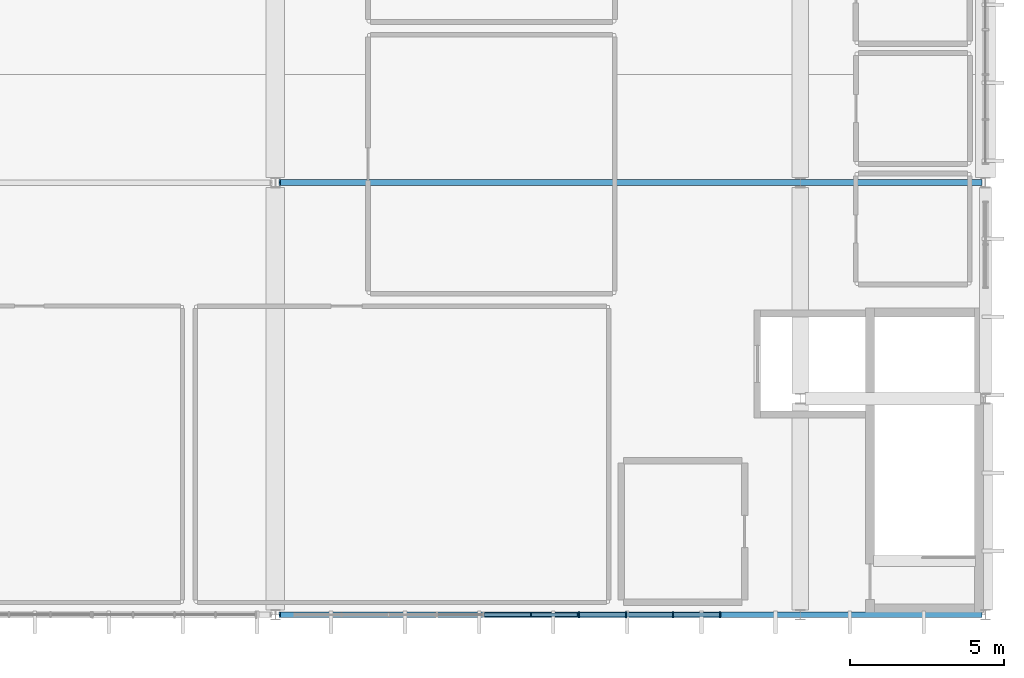
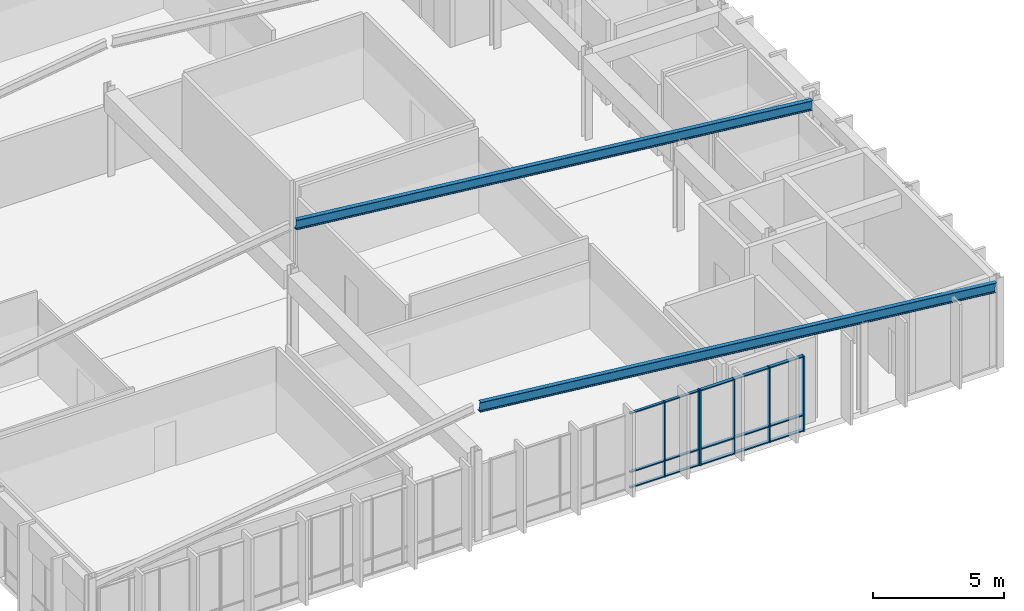
# One storey, part 6 of 16: 21 members, 2 beams, 2 elements without a shape of their own.
"""IFC4 building model written with IfcOpenShell, lengths in metres."""

from ifc_helpers import new_model, si_unit, direction, frame, origin, origin_2d, place, context, subcontext, project, spatial, rectangle, i_section, extrude, material, material_profile, profile_set, type_object, element, aggregate, save


model = new_model("IFC4")

# Units and contexts
model_context = context("Model", 3, precision=1e-05, world=origin(), true_north=direction((0.0, 1.0)))
body_context = subcontext(model_context, "Body", "Model", "MODEL_VIEW")
ifc_project = project(units=[si_unit("LENGTHUNIT", "METRE"), si_unit("AREAUNIT", "SQUARE_METRE"), si_unit("VOLUMEUNIT", "CUBIC_METRE"), si_unit("PLANEANGLEUNIT", "RADIAN"), si_unit("MASSUNIT", "GRAM", prefix="KILO")], contexts=[model_context])

# Site, building, storey
site_placement = place(None, origin())
site = spatial("IfcSite", under=ifc_project, at=site_placement, CompositionType="ELEMENT")
building_placement = place(site_placement, origin())
building = spatial("IfcBuilding", under=site, at=building_placement, Name="Larkveld Mobility Hub", CompositionType="ELEMENT")
storey_placement = place(building_placement, frame((0.0, 0.0, 22.800048828125)))
storey = spatial("IfcBuildingStorey", under=building, at=storey_placement, Name="L06", CompositionType="ELEMENT", Elevation=22.800048828125)

# Beams
ifc_material_1 = material(Name="Steel S355JR", Category="steel")
ifc_material_profile_1 = material_profile(ifc_material_1, i_section(OverallWidth=0.18994140625, OverallDepth=0.449951171875, WebThickness=0.009521484375, FlangeThickness=0.0146484375, FilletRadius=0.02099609375, at=origin_2d()), Name="IPE 450")
ifc_profile_set_1 = profile_set([ifc_material_profile_1], Name="Steel S355JR")
beam_type = type_object("IfcBeamType", Name="BM-STIPE450", PredefinedType="BEAM", material=ifc_profile_set_1)
for number, where, z_axis, x_axis, name in (
    (1, (129.139892578125, 28.0, 6.114990234375), (0.994557622154, 0.0, -0.104187984982), (0.0, 1.0, 0.0), "Sports Pavilion East Rafter L06-1745"),
    (2, (129.139892578125, 42.0, 6.114990234375), (0.994557622154, 0.0, -0.104187984982), (0.0, 1.0, 0.0), "Sports Pavilion East Rafter L06-1747"),
):
    element("IfcBeam", number, at=place(storey_placement, frame(where, z_axis=z_axis, x_axis=x_axis)), inside=storey, type_object=beam_type, Name=name, PredefinedType="BEAM", context=body_context, shape_type="SweptSolid", body=[
        extrude(i_section(OverallWidth=0.18994140625, OverallDepth=0.449951171875, WebThickness=0.009521484375, FlangeThickness=0.0146484375, FilletRadius=0.02099609375, at=origin_2d()), origin(), (0.0, 0.0, 1.0), 22.844482421875),
    ])

# Curtain wall, members
ifc_material_2 = material(Name="Anodised aluminium 6063-T6", Category="aluminium")
curtain_wall_type_1 = type_object("IfcCurtainWallType", Name="CW-SYS-01", PredefinedType="NOTDEFINED", material=ifc_material_2)
curtain_wall_1_placement = place(storey_placement, origin())
curtain_wall_1 = element("IfcCurtainWall", 3, at=curtain_wall_1_placement, inside=storey, type_object=curtain_wall_type_1, Name="Sports Pavilion South Overlook Glazing CW-181", PredefinedType="NOTDEFINED")
ifc_material_profile_2 = material_profile(ifc_material_2, rectangle(XDim=0.050048828125, YDim=0.14990234375, at=origin_2d()), Name="ALU MULL 50x150")
ifc_profile_set_2 = profile_set([ifc_material_profile_2], Name="Anodised aluminium 6063-T6")
member_type_1 = type_object("IfcMemberType", Name="CW-MUL-01", PredefinedType="MULLION", material=ifc_profile_set_2)
member_1_placement = place(storey_placement, frame((137.278076171875, 28.0, -0.001953125), z_axis=(0.0, 0.0, 1.0), x_axis=(1.0, 0.0, 0.0)))
member_1 = element("IfcMember", 4, at=member_1_placement, type_object=member_type_1, Name="CW01 mullion 3", PredefinedType="MULLION", context=body_context, shape_type="SweptSolid", body=[
    extrude(rectangle(XDim=0.050048828125, YDim=0.14990234375, at=origin_2d()), origin(), (0.0, 0.0, 1.0), 3.511962890625),
])
member_2_placement = place(storey_placement, frame((138.7890625, 28.0, -0.001953125), z_axis=(0.0, 0.0, 1.0), x_axis=(1.0, 0.0, 0.0)))
member_2 = element("IfcMember", 5, at=member_2_placement, type_object=member_type_1, Name="CW01 mullion 4", PredefinedType="MULLION", context=body_context, shape_type="SweptSolid", body=[
    extrude(rectangle(XDim=0.050048828125, YDim=0.14990234375, at=origin_2d()), origin(), (0.0, 0.0, 1.0), 3.511962890625),
])

curtain_wall_type_2 = type_object("IfcCurtainWallType", Name="CW-SYS-02", PredefinedType="NOTDEFINED", material=ifc_material_2)
curtain_wall_2_placement = place(storey_placement, origin())
curtain_wall_2 = element("IfcCurtainWall", 6, at=curtain_wall_2_placement, inside=storey, type_object=curtain_wall_type_2, Name="Sports Pavilion South Overlook Glazing CW-182", PredefinedType="NOTDEFINED")
ifc_material_profile_3 = material_profile(ifc_material_2, rectangle(XDim=0.050048828125, YDim=0.179931640625, at=origin_2d()), Name="ALU MULL 50x180")
ifc_profile_set_3 = profile_set([ifc_material_profile_3], Name="Anodised aluminium 6063-T6")
member_type_2 = type_object("IfcMemberType", Name="CW-MUL-02", PredefinedType="MULLION", material=ifc_profile_set_3)
member_3_placement = place(storey_placement, frame((138.837890625, 28.0, -0.001953125), z_axis=(0.0, 0.0, 1.0), x_axis=(1.0, 0.0, 0.0)))
member_3 = element("IfcMember", 7, at=member_3_placement, type_object=member_type_2, Name="CW02 mullion 1", PredefinedType="MULLION", context=body_context, shape_type="SweptSolid", body=[
    extrude(rectangle(XDim=0.050048828125, YDim=0.179931640625, at=origin_2d()), origin(), (0.0, 0.0, 1.0), 3.511962890625),
])
member_4_placement = place(storey_placement, frame((140.34912109375, 28.0, -0.001953125), z_axis=(0.0, 0.0, 1.0), x_axis=(1.0, 0.0, 0.0)))
member_4 = element("IfcMember", 8, at=member_4_placement, type_object=member_type_2, Name="CW02 mullion 2", PredefinedType="MULLION", context=body_context, shape_type="SweptSolid", body=[
    extrude(rectangle(XDim=0.050048828125, YDim=0.179931640625, at=origin_2d()), origin(), (0.0, 0.0, 1.0), 3.511962890625),
])
member_5_placement = place(storey_placement, frame((141.884033203125, 28.0, -0.001953125), z_axis=(0.0, 0.0, 1.0), x_axis=(1.0, 0.0, 0.0)))
member_5 = element("IfcMember", 9, at=member_5_placement, type_object=member_type_2, Name="CW02 mullion 3", PredefinedType="MULLION", context=body_context, shape_type="SweptSolid", body=[
    extrude(rectangle(XDim=0.050048828125, YDim=0.179931640625, at=origin_2d()), origin(), (0.0, 0.0, 1.0), 3.511962890625),
])
member_6_placement = place(storey_placement, frame((143.39501953125, 28.0, -0.001953125), z_axis=(0.0, 0.0, 1.0), x_axis=(1.0, 0.0, 0.0)))
member_6 = element("IfcMember", 10, at=member_6_placement, type_object=member_type_2, Name="CW02 mullion 4", PredefinedType="MULLION", context=body_context, shape_type="SweptSolid", body=[
    extrude(rectangle(XDim=0.050048828125, YDim=0.179931640625, at=origin_2d()), origin(), (0.0, 0.0, 1.0), 3.511962890625),
])

# Member
ifc_material_profile_4 = material_profile(ifc_material_2, rectangle(XDim=0.1201171875, YDim=0.050048828125, at=origin_2d()), Name="ALU TRAN 50x120")
ifc_profile_set_4 = profile_set([ifc_material_profile_4], Name="Anodised aluminium 6063-T6")
member_type_3 = type_object("IfcMemberType", Name="CW-TRN-01", PredefinedType="USERDEFINED", material=ifc_profile_set_4)
member_7_placement = place(storey_placement, frame((135.758056640625, 28.0, 0.030029296875), z_axis=(1.0, 0.0, 0.0), x_axis=(0.0, 1.0, 0.0)))
member_7 = element("IfcMember", 11, at=member_7_placement, type_object=member_type_3, Name="CW01 transom 2.1", ObjectType="TRANSOM", PredefinedType="USERDEFINED", context=body_context, shape_type="SweptSolid", body=[
    extrude(rectangle(XDim=0.1201171875, YDim=0.050048828125, at=origin_2d()), origin(), (0.0, 0.0, 1.0), 1.5048828125),
])

member_8_placement = place(storey_placement, frame((135.758056640625, 28.0, 0.75), z_axis=(1.0, 0.0, 0.0), x_axis=(0.0, 1.0, 0.0)))
member_8 = element("IfcMember", 12, at=member_8_placement, type_object=member_type_3, Name="CW01 transom 2.2", ObjectType="TRANSOM", PredefinedType="USERDEFINED", context=body_context, shape_type="SweptSolid", body=[
    extrude(rectangle(XDim=0.1201171875, YDim=0.050048828125, at=origin_2d()), origin(), (0.0, 0.0, 1.0), 1.5048828125),
])

member_9_placement = place(storey_placement, frame((135.758056640625, 28.0, 3.47802734375), z_axis=(1.0, 0.0, 0.0), x_axis=(0.0, 1.0, 0.0)))
member_9 = element("IfcMember", 13, at=member_9_placement, type_object=member_type_3, Name="CW01 transom 2.3", ObjectType="TRANSOM", PredefinedType="USERDEFINED", context=body_context, shape_type="SweptSolid", body=[
    extrude(rectangle(XDim=0.1201171875, YDim=0.050048828125, at=origin_2d()), origin(), (0.0, 0.0, 1.0), 1.5048828125),
])

member_10_placement = place(storey_placement, frame((137.29296875, 28.0, 0.030029296875), z_axis=(1.0, 0.0, 0.0), x_axis=(0.0, 1.0, 0.0)))
member_10 = element("IfcMember", 14, at=member_10_placement, type_object=member_type_3, Name="CW01 transom 3.1", ObjectType="TRANSOM", PredefinedType="USERDEFINED", context=body_context, shape_type="SweptSolid", body=[
    extrude(rectangle(XDim=0.1201171875, YDim=0.050048828125, at=origin_2d()), origin(), (0.0, 0.0, 1.0), 1.486083984375),
])

member_11_placement = place(storey_placement, frame((137.29296875, 28.0, 0.75), z_axis=(1.0, 0.0, 0.0), x_axis=(0.0, 1.0, 0.0)))
member_11 = element("IfcMember", 15, at=member_11_placement, type_object=member_type_3, Name="CW01 transom 3.2", ObjectType="TRANSOM", PredefinedType="USERDEFINED", context=body_context, shape_type="SweptSolid", body=[
    extrude(rectangle(XDim=0.1201171875, YDim=0.050048828125, at=origin_2d()), origin(), (0.0, 0.0, 1.0), 1.486083984375),
])

member_12_placement = place(storey_placement, frame((137.29296875, 28.0, 3.47802734375), z_axis=(1.0, 0.0, 0.0), x_axis=(0.0, 1.0, 0.0)))
member_12 = element("IfcMember", 16, at=member_12_placement, type_object=member_type_3, Name="CW01 transom 3.3", ObjectType="TRANSOM", PredefinedType="USERDEFINED", context=body_context, shape_type="SweptSolid", body=[
    extrude(rectangle(XDim=0.1201171875, YDim=0.050048828125, at=origin_2d()), origin(), (0.0, 0.0, 1.0), 1.486083984375),
])

aggregate(curtain_wall_1, [member_1, member_2, member_7, member_8, member_9, member_10, member_11, member_12])

ifc_material_profile_5 = material_profile(ifc_material_2, rectangle(XDim=0.14990234375, YDim=0.050048828125, at=origin_2d()), Name="ALU TRAN 50x150")
ifc_profile_set_5 = profile_set([ifc_material_profile_5], Name="Anodised aluminium 6063-T6")
member_type_4 = type_object("IfcMemberType", Name="CW-TRN-02", PredefinedType="USERDEFINED", material=ifc_profile_set_5)
member_13_placement = place(storey_placement, frame((138.847900390625, 28.0, 0.030029296875), z_axis=(1.0, 0.0, 0.0), x_axis=(0.0, 1.0, 0.0)))
member_13 = element("IfcMember", 17, at=member_13_placement, type_object=member_type_4, Name="CW02 transom 1.1", ObjectType="TRANSOM", PredefinedType="USERDEFINED", context=body_context, shape_type="SweptSolid", body=[
    extrude(rectangle(XDim=0.14990234375, YDim=0.050048828125, at=origin_2d()), origin(), (0.0, 0.0, 1.0), 1.486083984375),
])

member_14_placement = place(storey_placement, frame((138.847900390625, 28.0, 0.75), z_axis=(1.0, 0.0, 0.0), x_axis=(0.0, 1.0, 0.0)))
member_14 = element("IfcMember", 18, at=member_14_placement, type_object=member_type_4, Name="CW02 transom 1.2", ObjectType="TRANSOM", PredefinedType="USERDEFINED", context=body_context, shape_type="SweptSolid", body=[
    extrude(rectangle(XDim=0.14990234375, YDim=0.050048828125, at=origin_2d()), origin(), (0.0, 0.0, 1.0), 1.486083984375),
])

member_15_placement = place(storey_placement, frame((138.847900390625, 28.0, 3.47802734375), z_axis=(1.0, 0.0, 0.0), x_axis=(0.0, 1.0, 0.0)))
member_15 = element("IfcMember", 19, at=member_15_placement, type_object=member_type_4, Name="CW02 transom 1.3", ObjectType="TRANSOM", PredefinedType="USERDEFINED", context=body_context, shape_type="SweptSolid", body=[
    extrude(rectangle(XDim=0.14990234375, YDim=0.050048828125, at=origin_2d()), origin(), (0.0, 0.0, 1.0), 1.486083984375),
])

member_16_placement = place(storey_placement, frame((140.364013671875, 28.0, 0.030029296875), z_axis=(1.0, 0.0, 0.0), x_axis=(0.0, 1.0, 0.0)))
member_16 = element("IfcMember", 20, at=member_16_placement, type_object=member_type_4, Name="CW02 transom 2.1", ObjectType="TRANSOM", PredefinedType="USERDEFINED", context=body_context, shape_type="SweptSolid", body=[
    extrude(rectangle(XDim=0.14990234375, YDim=0.050048828125, at=origin_2d()), origin(), (0.0, 0.0, 1.0), 1.5048828125),
])

member_17_placement = place(storey_placement, frame((140.364013671875, 28.0, 0.75), z_axis=(1.0, 0.0, 0.0), x_axis=(0.0, 1.0, 0.0)))
member_17 = element("IfcMember", 21, at=member_17_placement, type_object=member_type_4, Name="CW02 transom 2.2", ObjectType="TRANSOM", PredefinedType="USERDEFINED", context=body_context, shape_type="SweptSolid", body=[
    extrude(rectangle(XDim=0.14990234375, YDim=0.050048828125, at=origin_2d()), origin(), (0.0, 0.0, 1.0), 1.5048828125),
])

member_18_placement = place(storey_placement, frame((140.364013671875, 28.0, 3.47802734375), z_axis=(1.0, 0.0, 0.0), x_axis=(0.0, 1.0, 0.0)))
member_18 = element("IfcMember", 22, at=member_18_placement, type_object=member_type_4, Name="CW02 transom 2.3", ObjectType="TRANSOM", PredefinedType="USERDEFINED", context=body_context, shape_type="SweptSolid", body=[
    extrude(rectangle(XDim=0.14990234375, YDim=0.050048828125, at=origin_2d()), origin(), (0.0, 0.0, 1.0), 1.5048828125),
])

member_19_placement = place(storey_placement, frame((141.89892578125, 28.0, 0.030029296875), z_axis=(1.0, 0.0, 0.0), x_axis=(0.0, 1.0, 0.0)))
member_19 = element("IfcMember", 23, at=member_19_placement, type_object=member_type_4, Name="CW02 transom 3.1", ObjectType="TRANSOM", PredefinedType="USERDEFINED", context=body_context, shape_type="SweptSolid", body=[
    extrude(rectangle(XDim=0.14990234375, YDim=0.050048828125, at=origin_2d()), origin(), (0.0, 0.0, 1.0), 1.486083984375),
])

member_20_placement = place(storey_placement, frame((141.89892578125, 28.0, 0.75), z_axis=(1.0, 0.0, 0.0), x_axis=(0.0, 1.0, 0.0)))
member_20 = element("IfcMember", 24, at=member_20_placement, type_object=member_type_4, Name="CW02 transom 3.2", ObjectType="TRANSOM", PredefinedType="USERDEFINED", context=body_context, shape_type="SweptSolid", body=[
    extrude(rectangle(XDim=0.14990234375, YDim=0.050048828125, at=origin_2d()), origin(), (0.0, 0.0, 1.0), 1.486083984375),
])

member_21_placement = place(storey_placement, frame((141.89892578125, 28.0, 3.47802734375), z_axis=(1.0, 0.0, 0.0), x_axis=(0.0, 1.0, 0.0)))
member_21 = element("IfcMember", 25, at=member_21_placement, type_object=member_type_4, Name="CW02 transom 3.3", ObjectType="TRANSOM", PredefinedType="USERDEFINED", context=body_context, shape_type="SweptSolid", body=[
    extrude(rectangle(XDim=0.14990234375, YDim=0.050048828125, at=origin_2d()), origin(), (0.0, 0.0, 1.0), 1.486083984375),
])

aggregate(curtain_wall_2, [member_3, member_4, member_5, member_6, member_13, member_14, member_15, member_16, member_17, member_18, member_19, member_20, member_21])

save(model, "model.ifc")
